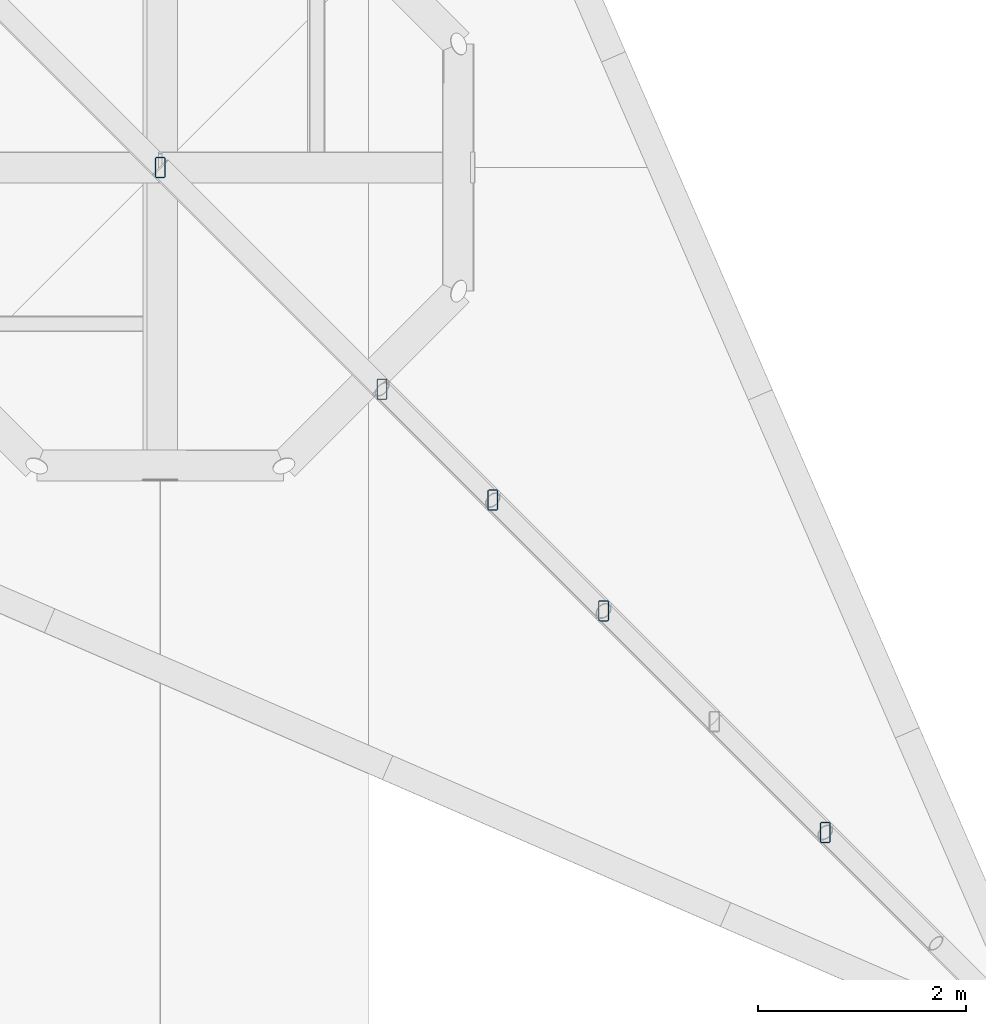
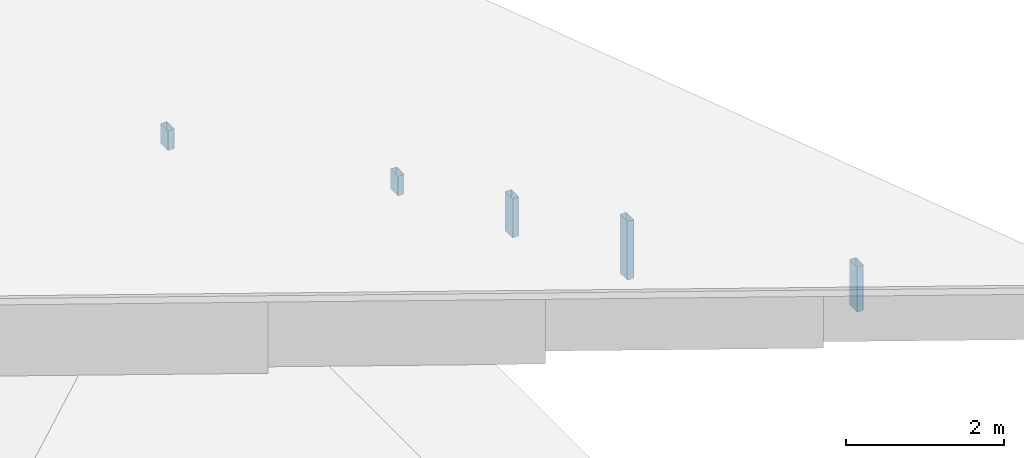
# One storey, part 44 of 95: 5 members.
"""IFC4 building model written with IfcOpenShell, lengths in metres."""

from ifc_helpers import new_model, si_unit, direction, frame, origin, origin_2d, place, context, subcontext, project, spatial, hollow_rectangle, extrude, material, material_profile, profile_set, type_object, element, save


model = new_model("IFC4")

# Units and contexts
model_context = context("Model", 3, precision=1e-05, world=origin(), true_north=direction((0.0, 1.0)))
body_context = subcontext(model_context, "Body", "Model", "MODEL_VIEW")
ifc_project = project(units=[si_unit("LENGTHUNIT", "METRE"), si_unit("AREAUNIT", "SQUARE_METRE"), si_unit("VOLUMEUNIT", "CUBIC_METRE"), si_unit("PLANEANGLEUNIT", "RADIAN"), si_unit("MASSUNIT", "GRAM", prefix="KILO")], contexts=[model_context])

# Site, building, storey
site_placement = place(None, origin())
site = spatial("IfcSite", under=ifc_project, at=site_placement, CompositionType="ELEMENT")
building_placement = place(site_placement, origin())
building = spatial("IfcBuilding", under=site, at=building_placement, Name="Magnolia Steps Interchange", CompositionType="ELEMENT")
storey_placement = place(building_placement, frame((0.0, 0.0, 4.800048828125)))
storey = spatial("IfcBuildingStorey", under=building, at=storey_placement, Name="L01", CompositionType="ELEMENT", Elevation=4.800048828125)

# Members
ifc_material = material(Name="Steel Q355B", Category="steel")
ifc_material_profile = material_profile(ifc_material, hollow_rectangle(XDim=0.10009765625, YDim=0.199951171875, WallThickness=0.008056640625, InnerFilletRadius=0.008056640625, OuterFilletRadius=0.01611328125, at=origin_2d()), Name="RHS200x100x8")
ifc_profile_set = profile_set([ifc_material_profile], Name="Steel Q355B")
member_type = type_object("IfcMemberType", Name="Roof truss post RHS200x100x8", PredefinedType="USERDEFINED", material=ifc_profile_set)
member_1_placement = place(storey_placement, frame((182.800048828125, 42.39990234375, 1.117919921875), z_axis=(0.0, 0.0, 1.0), x_axis=(1.0, 0.0, 0.0)))
element("IfcMember", 1, at=member_1_placement, inside=storey, type_object=member_type, Name="Spike truss SP-C-SE post", ObjectType="Roof truss post", PredefinedType="USERDEFINED", context=body_context, shape_type="SweptSolid", body=[
    extrude(hollow_rectangle(XDim=0.10009765625, YDim=0.199951171875, WallThickness=0.008056640625, InnerFilletRadius=0.008056640625, OuterFilletRadius=0.01611328125, at=origin_2d()), origin(), (0.0, 0.0, 1.0), 0.300048828125),
])
member_2_placement = place(storey_placement, frame((184.93115234375, 40.268798828125, 0.962646484375), z_axis=(0.0, 0.0, 1.0), x_axis=(1.0, 0.0, 0.0)))
element("IfcMember", 2, at=member_2_placement, inside=storey, type_object=member_type, Name="Spike truss SP-C-SE post", ObjectType="Roof truss post", PredefinedType="USERDEFINED", context=body_context, shape_type="SweptSolid", body=[
    extrude(hollow_rectangle(XDim=0.10009765625, YDim=0.199951171875, WallThickness=0.008056640625, InnerFilletRadius=0.008056640625, OuterFilletRadius=0.01611328125, at=origin_2d()), origin(), (0.0, 0.0, 1.0), 0.2998046875),
])
member_3_placement = place(storey_placement, frame((185.99609375, 39.203857421875, 0.583740234375), z_axis=(0.0, 0.0, 1.0), x_axis=(1.0, 0.0, 0.0)))
element("IfcMember", 3, at=member_3_placement, inside=storey, type_object=member_type, Name="Spike truss SP-C-SE post", ObjectType="Roof truss post", PredefinedType="USERDEFINED", context=body_context, shape_type="SweptSolid", body=[
    extrude(hollow_rectangle(XDim=0.10009765625, YDim=0.199951171875, WallThickness=0.008056640625, InnerFilletRadius=0.008056640625, OuterFilletRadius=0.01611328125, at=origin_2d()), origin(), (0.0, 0.0, 1.0), 0.601318359375),
])
member_4_placement = place(storey_placement, frame((187.06103515625, 38.138916015625, 0.204833984375), z_axis=(0.0, 0.0, 1.0), x_axis=(1.0, 0.0, 0.0)))
element("IfcMember", 4, at=member_4_placement, inside=storey, type_object=member_type, Name="Spike truss SP-C-SE post", ObjectType="Roof truss post", PredefinedType="USERDEFINED", context=body_context, shape_type="SweptSolid", body=[
    extrude(hollow_rectangle(XDim=0.10009765625, YDim=0.199951171875, WallThickness=0.008056640625, InnerFilletRadius=0.008056640625, OuterFilletRadius=0.01611328125, at=origin_2d()), origin(), (0.0, 0.0, 1.0), 0.90234375),
])
member_5_placement = place(storey_placement, frame((189.19091796875, 36.00927734375, 0.255859375), z_axis=(0.0, 0.0, 1.0), x_axis=(1.0, 0.0, 0.0)))
element("IfcMember", 5, at=member_5_placement, inside=storey, type_object=member_type, Name="Spike truss SP-C-SE post", ObjectType="Roof truss post", PredefinedType="USERDEFINED", context=body_context, shape_type="SweptSolid", body=[
    extrude(hollow_rectangle(XDim=0.10009765625, YDim=0.199951171875, WallThickness=0.008056640625, InnerFilletRadius=0.008056640625, OuterFilletRadius=0.01611328125, at=origin_2d()), origin(), (0.0, 0.0, 1.0), 0.696044921875),
])

save(model, "model.ifc")
